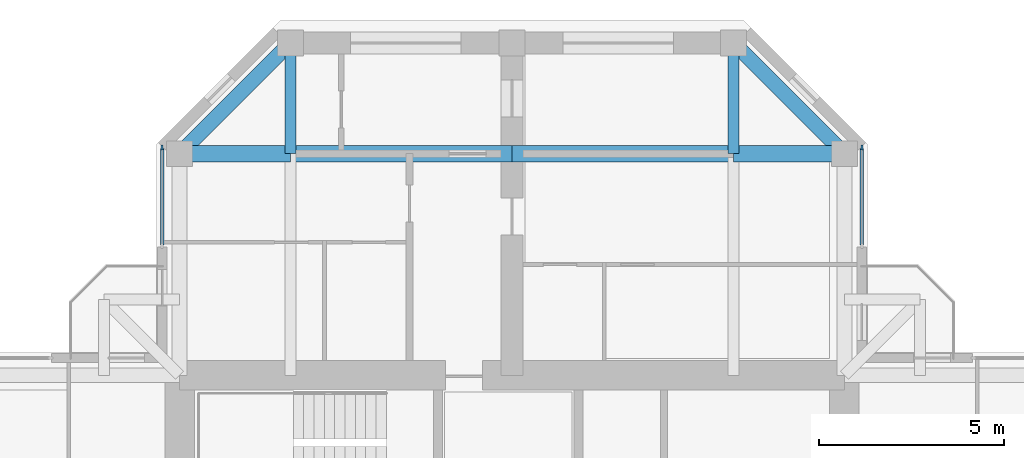
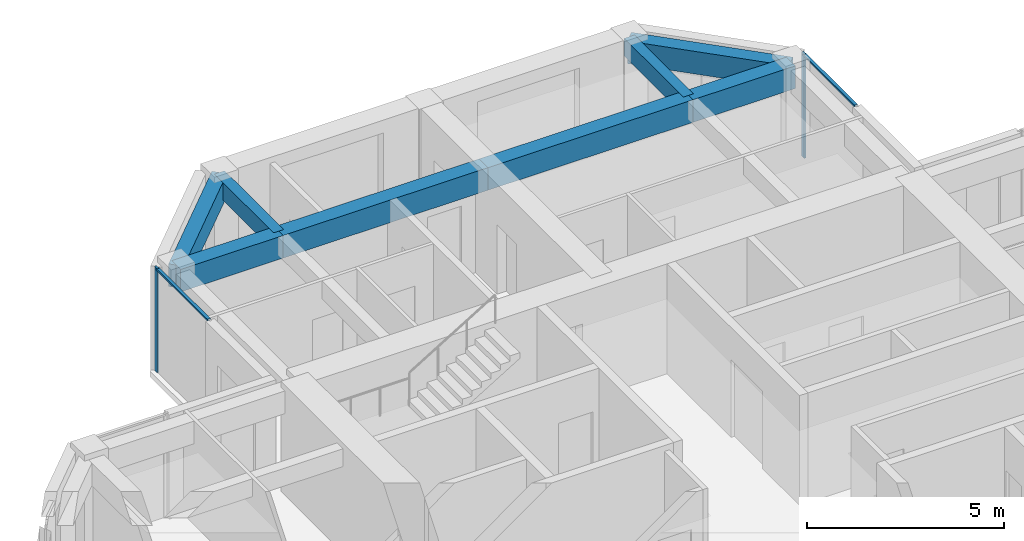
# One storey, part 6 of 13: 8 beams, 4 members, 2 elements without a shape of their own.
"""IFC4 building model written with IfcOpenShell, lengths in metres."""

from ifc_helpers import new_model, si_unit, direction, frame, origin, origin_2d, place, context, subcontext, project, spatial, rectangle, extrude, material, material_profile, profile_set, type_object, element, aggregate, save


model = new_model("IFC4")

# Units and contexts
model_context = context("Model", 3, precision=1e-05, world=origin(), true_north=direction((0.0, 1.0)))
body_context = subcontext(model_context, "Body", "Model", "MODEL_VIEW")
ifc_project = project(units=[si_unit("LENGTHUNIT", "METRE"), si_unit("AREAUNIT", "SQUARE_METRE"), si_unit("VOLUMEUNIT", "CUBIC_METRE"), si_unit("PLANEANGLEUNIT", "RADIAN"), si_unit("MASSUNIT", "GRAM", prefix="KILO")], contexts=[model_context])

# Site, building, storey
site_placement = place(None, origin())
site = spatial("IfcSite", under=ifc_project, at=site_placement, CompositionType="ELEMENT")
building_placement = place(site_placement, origin())
building = spatial("IfcBuilding", under=site, at=building_placement, Name="Torre Cruceta", CompositionType="ELEMENT")
storey_placement = place(building_placement, frame((0.0, 0.0, 261.10009765625)))
storey = spatial("IfcBuildingStorey", under=building, at=storey_placement, Name="L67", CompositionType="ELEMENT", Elevation=261.10009765625)

# Beams
ifc_material_1 = material(Name="Concrete G60 (fck 60 MPa)", Category="concrete")
ifc_material_profile_1 = material_profile(ifc_material_1, rectangle(XDim=0.300048828125, YDim=0.550048828125, at=origin_2d()), Name="RC 300X550")
ifc_profile_set_1 = profile_set([ifc_material_profile_1], Name="Concrete G60 (fck 60 MPa)")
beam_type_1 = type_object("IfcBeamType", Name="COLUMN LINE BEAM RC 300X550", PredefinedType="BEAM", material=ifc_profile_set_1)
for number, where, z_axis, x_axis, name in (
    (1, (6.0, 15.0, 2.94482421875), (0.0, 1.0, 0.0), (-1.0, 0.0, 0.0), "LB10 L67 N col- 2"),
    (2, (-6.0, 15.0, 2.94482421875), (0.0, 1.0, 0.0), (-1.0, 0.0, 0.0), "LB10 L67 N col+ 2"),
):
    element("IfcBeam", number, at=place(storey_placement, frame(where, z_axis=z_axis, x_axis=x_axis)), inside=storey, type_object=beam_type_1, Name=name, PredefinedType="BEAM", context=body_context, shape_type="SweptSolid", body=[
        extrude(rectangle(XDim=0.300048828125, YDim=0.550048828125, at=origin_2d()), origin(), (0.0, 0.0, 1.0), 3.0),
    ])
ifc_material_2 = material(Name="Concrete G60 (fck 60 MPa)", Category="concrete")
ifc_material_profile_2 = material_profile(ifc_material_2, rectangle(XDim=0.449951171875, YDim=0.699951171875, at=origin_2d()), Name="RC 450X700")
ifc_profile_set_2 = profile_set([ifc_material_profile_2], Name="Concrete G60 (fck 60 MPa)")
beam_type_2 = type_object("IfcBeamType", Name="CROSS BEAM RC 450X700", PredefinedType="BEAM", material=ifc_profile_set_2)
beam_1_placement = place(storey_placement, frame((9.0, 15.0, 2.869873046875), z_axis=(-1.0, 0.0, 0.0), x_axis=(0.0, -1.0, 0.0)))
element("IfcBeam", 3, at=beam_1_placement, inside=storey, type_object=beam_type_2, Name="GB8 L67 N cross15 1", PredefinedType="BEAM", context=body_context, shape_type="SweptSolid", body=[
    extrude(rectangle(XDim=0.449951171875, YDim=0.699951171875, at=origin_2d()), origin(), (0.0, 0.0, 1.0), 3.0),
])
for number, where, z_axis, x_axis, name in (
    (4, (6.0, 15.0, 2.869873046875), (-1.0, 0.0, 0.0), (0.0, -1.0, 0.0), "GB8 L67 N cross15 2"),
    (5, (0.0, 15.0, 2.869873046875), (-1.0, 0.0, 0.0), (0.0, -1.0, 0.0), "GB8 L67 N cross15 3"),
):
    element("IfcBeam", number, at=place(storey_placement, frame(where, z_axis=z_axis, x_axis=x_axis)), inside=storey, type_object=beam_type_2, Name=name, PredefinedType="BEAM", context=body_context, shape_type="SweptSolid", body=[
        extrude(rectangle(XDim=0.449951171875, YDim=0.699951171875, at=origin_2d()), origin(), (0.0, 0.0, 1.0), 6.0),
    ])
beam_2_placement = place(storey_placement, frame((-6.0, 15.0, 2.869873046875), z_axis=(-1.0, 0.0, 0.0), x_axis=(0.0, -1.0, 0.0)))
element("IfcBeam", 6, at=beam_2_placement, inside=storey, type_object=beam_type_2, Name="GB8 L67 N cross15 4", PredefinedType="BEAM", context=body_context, shape_type="SweptSolid", body=[
    extrude(rectangle(XDim=0.449951171875, YDim=0.699951171875, at=origin_2d()), origin(), (0.0, 0.0, 1.0), 3.0),
])

# Curtain wall, member
ifc_material_3 = material(Name="Aluminium unitised curtain wall", Category="aluminium")
curtain_wall_type = type_object("IfcCurtainWallType", Name="CURTAIN WALL CW-E CO-LIVING TOP", PredefinedType="USERDEFINED", material=ifc_material_3)
curtain_wall_1_placement = place(storey_placement, origin())
curtain_wall_1 = element("IfcCurtainWall", 7, at=curtain_wall_1_placement, inside=storey, type_object=curtain_wall_type, Name="CW-E L67 N side 05", ObjectType="UNITISED", PredefinedType="USERDEFINED")
ifc_material_4 = material(Name="Aluminium mullion", Category="aluminium")
ifc_material_profile_3 = material_profile(ifc_material_4, rectangle(XDim=0.054931640625, YDim=0.139892578125, at=origin_2d()), Name="AL 55X140")
ifc_profile_set_3 = profile_set([ifc_material_profile_3], Name="Aluminium mullion")
member_type_1 = type_object("IfcMemberType", Name="CW-E MULLION 55X140", PredefinedType="MULLION", material=ifc_profile_set_3)
member_1_placement = place(storey_placement, frame((9.469970703125, 15.167236328125, 0.0), z_axis=(0.0, 0.0, 1.0), x_axis=(-1.0, 0.0, 0.0)))
member_1 = element("IfcMember", 8, at=member_1_placement, type_object=member_type_1, Name="CW-E mullion 2", PredefinedType="MULLION", context=body_context, shape_type="SweptSolid", body=[
    extrude(rectangle(XDim=0.054931640625, YDim=0.139892578125, at=origin_2d()), origin(), (0.0, 0.0, 1.0), 3.219970703125),
])

curtain_wall_2_placement = place(storey_placement, origin())
curtain_wall_2 = element("IfcCurtainWall", 9, at=curtain_wall_2_placement, inside=storey, type_object=curtain_wall_type, Name="CW-E L67 N side 09", ObjectType="UNITISED", PredefinedType="USERDEFINED")
member_2_placement = place(storey_placement, frame((-9.469970703125, 15.167236328125, 0.0), z_axis=(0.0, 0.0, 1.0), x_axis=(1.0, 0.0, 0.0)))
member_2 = element("IfcMember", 10, at=member_2_placement, type_object=member_type_1, Name="CW-E mullion 1", PredefinedType="MULLION", context=body_context, shape_type="SweptSolid", body=[
    extrude(rectangle(XDim=0.054931640625, YDim=0.139892578125, at=origin_2d()), origin(), (0.0, 0.0, 1.0), 3.219970703125),
])

# Member
ifc_material_5 = material(Name="Aluminium transom", Category="aluminium")
ifc_material_profile_4 = material_profile(ifc_material_5, rectangle(XDim=0.090087890625, YDim=0.054931640625, at=origin_2d()), Name="AL 90X55")
ifc_profile_set_4 = profile_set([ifc_material_profile_4], Name="Aluminium transom")
member_type_2 = type_object("IfcMemberType", Name="CW-E TRANSOM 55X90", PredefinedType="USERDEFINED", material=ifc_profile_set_4)
member_3_placement = place(storey_placement, frame((9.469970703125, 12.52490234375, 3.1923828125), z_axis=(0.0, 1.0, 0.0), x_axis=(-1.0, 0.0, 0.0)))
member_3 = element("IfcMember", 11, at=member_3_placement, type_object=member_type_2, Name="CW-E transom 1", ObjectType="TRANSOM", PredefinedType="USERDEFINED", context=body_context, shape_type="SweptSolid", body=[
    extrude(rectangle(XDim=0.090087890625, YDim=0.054931640625, at=origin_2d()), origin(), (0.0, 0.0, 1.0), 2.61474609375),
])

aggregate(curtain_wall_1, [member_1, member_3])

member_4_placement = place(storey_placement, frame((-9.469970703125, 15.1396484375, 3.1923828125), z_axis=(0.0, -1.0, 0.0), x_axis=(1.0, 0.0, 0.0)))
member_4 = element("IfcMember", 12, at=member_4_placement, type_object=member_type_2, Name="CW-E transom 1", ObjectType="TRANSOM", PredefinedType="USERDEFINED", context=body_context, shape_type="SweptSolid", body=[
    extrude(rectangle(XDim=0.090087890625, YDim=0.054931640625, at=origin_2d()), origin(), (0.0, 0.0, 1.0), 2.61474609375),
])

aggregate(curtain_wall_2, [member_2, member_4])

# Beams
ifc_material_6 = material(Name="Concrete G60 (fck 60 MPa)", Category="concrete")
ifc_material_profile_5 = material_profile(ifc_material_6, rectangle(XDim=0.39990234375, YDim=0.699951171875, at=origin_2d()), Name="RC 400X700")
ifc_profile_set_5 = profile_set([ifc_material_profile_5], Name="Concrete G60 (fck 60 MPa)")
beam_type_3 = type_object("IfcBeamType", Name="SPANDREL BEAM RC 400X700", PredefinedType="SPANDREL", material=ifc_profile_set_5)
for number, where, z_axis, x_axis, name in (
    (13, (9.0, 15.0, 2.869873046875), (-0.707106781187, 0.707106781187, 0.0), (-0.707106781187, -0.707106781187, 0.0), "SB8 L67 N side- 2"),
    (14, (-9.0, 15.0, 2.869873046875), (0.707106781187, 0.707106781187, 0.0), (-0.707106781187, 0.707106781187, 0.0), "SB8 L67 N side+ 2"),
):
    element("IfcBeam", number, at=place(storey_placement, frame(where, z_axis=z_axis, x_axis=x_axis)), inside=storey, type_object=beam_type_3, Name=name, PredefinedType="SPANDREL", context=body_context, shape_type="SweptSolid", body=[
        extrude(rectangle(XDim=0.39990234375, YDim=0.699951171875, at=origin_2d()), origin(), (0.0, 0.0, 1.0), 4.24267578125),
    ])

save(model, "model.ifc")
